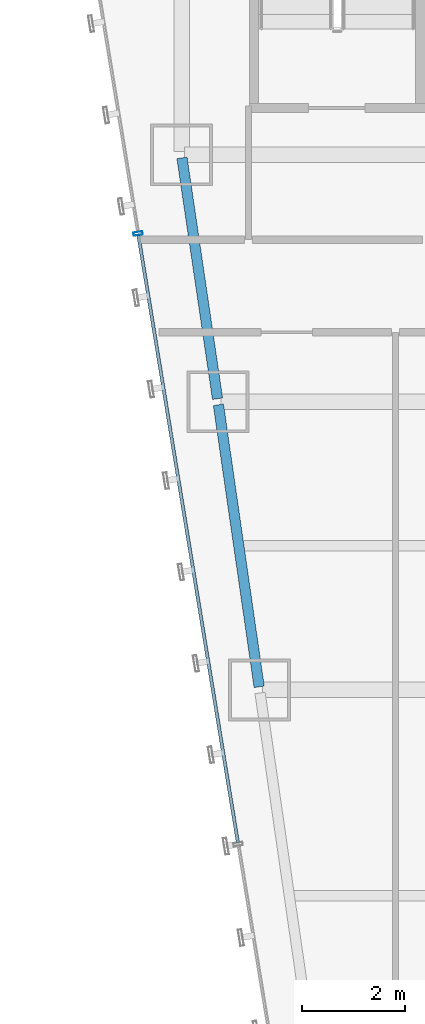
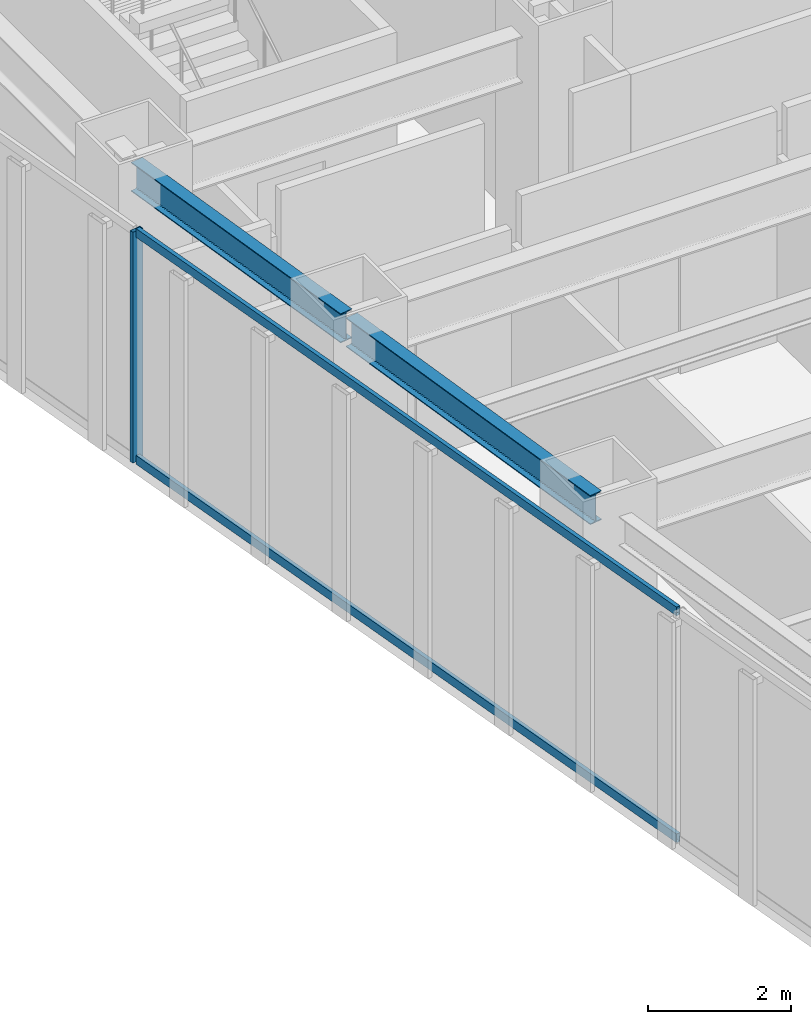
# One storey, part 22 of 47: 3 members, 2 beams, 1 element without a shape of its own.
"""IFC4 building model written with IfcOpenShell, lengths in metres."""

from ifc_helpers import new_model, si_unit, direction, frame, origin, origin_2d, place, context, subcontext, project, spatial, hollow_rectangle, i_section, extrude, material, material_profile, profile_set, type_object, element, aggregate, save


model = new_model("IFC4")

# Units and contexts
model_context = context("Model", 3, precision=1e-05, world=origin(), true_north=direction((0.0, 1.0)))
body_context = subcontext(model_context, "Body", "Model", "MODEL_VIEW")
ifc_project = project(units=[si_unit("LENGTHUNIT", "METRE"), si_unit("AREAUNIT", "SQUARE_METRE"), si_unit("VOLUMEUNIT", "CUBIC_METRE"), si_unit("PLANEANGLEUNIT", "RADIAN"), si_unit("MASSUNIT", "GRAM", prefix="KILO")], contexts=[model_context])

# Site, building, storey
site_placement = place(None, origin())
site = spatial("IfcSite", under=ifc_project, at=site_placement, CompositionType="ELEMENT")
building_placement = place(site_placement, origin())
building = spatial("IfcBuilding", under=site, at=building_placement, Name="Saevonmaru Cultural Tower", CompositionType="ELEMENT")
storey_placement = place(building_placement, frame((0.0, 0.0, 82.39990234375)))
storey = spatial("IfcBuildingStorey", under=building, at=storey_placement, Name="L17", CompositionType="ELEMENT", Elevation=82.39990234375)

# Beams
ifc_material_1 = material(Name="Steel SM355", Category="steel")
ifc_material_profile_1 = material_profile(ifc_material_1, i_section(OverallWidth=0.199951171875, OverallDepth=0.5, WebThickness=0.010009765625, FlangeThickness=0.01611328125, FilletRadius=0.02001953125, at=origin_2d()), Name="H-500x200x10x16")
ifc_profile_set_1 = profile_set([ifc_material_profile_1], Name="Steel SM355")
beam_type = type_object("IfcBeamType", Name="BM-SP-H500", PredefinedType="SPANDREL", material=ifc_profile_set_1)
beam_1_placement = place(storey_placement, frame((8.308349609375, 32.059326171875, 3.7001953125), z_axis=(-0.142964121327, 0.989727871697, 0.0), x_axis=(-0.989727871697, -0.142964121327, 0.0)))
element("IfcBeam", 1, at=beam_1_placement, inside=storey, type_object=beam_type, Name="L17 West Splayed Spandrel 5", PredefinedType="SPANDREL", context=body_context, shape_type="SweptSolid", body=[
    extrude(i_section(OverallWidth=0.199951171875, OverallDepth=0.5, WebThickness=0.010009765625, FlangeThickness=0.01611328125, FilletRadius=0.02001953125, at=origin_2d()), origin(), (0.0, 0.0, 1.0), 5.5380859375),
])
beam_2_placement = place(storey_placement, frame((7.499267578125, 37.659423828125, 3.7001953125), z_axis=(-0.145912860028, 0.989297446312, 0.0), x_axis=(-0.989297446312, -0.145912860028, 0.0)))
element("IfcBeam", 2, at=beam_2_placement, inside=storey, type_object=beam_type, Name="L17 West Splayed Spandrel 6", PredefinedType="SPANDREL", context=body_context, shape_type="SweptSolid", body=[
    extrude(i_section(OverallWidth=0.199951171875, OverallDepth=0.5, WebThickness=0.010009765625, FlangeThickness=0.01611328125, FilletRadius=0.02001953125, at=origin_2d()), origin(), (0.0, 0.0, 1.0), 4.731689453125),
])

# Curtain wall, members
ifc_material_2 = material(Name="Satin Bronze Anodised Aluminium", Category="aluminium")
curtain_wall_type = type_object("IfcCurtainWallType", Name="CW-TYP-A", PredefinedType="NOTDEFINED", material=ifc_material_2)
curtain_wall_placement = place(storey_placement, origin())
curtain_wall = element("IfcCurtainWall", 3, at=curtain_wall_placement, inside=storey, type_object=curtain_wall_type, Name="L17 Unitised Curtain Wall E12", PredefinedType="NOTDEFINED")
ifc_material_profile_2 = material_profile(ifc_material_2, hollow_rectangle(XDim=0.06494140625, YDim=0.179931640625, WallThickness=0.00390625, at=origin_2d()), Name="ALU-MULL-180x65x4")
ifc_profile_set_2 = profile_set([ifc_material_profile_2], Name="Satin Bronze Anodised Aluminium")
member_type_1 = type_object("IfcMemberType", Name="ML-CW-180x65", PredefinedType="MULLION", material=ifc_profile_set_2)
member_1_placement = place(storey_placement, frame((5.954833984375, 40.870361328125, 0.0), z_axis=(0.0, 0.0, 1.0), x_axis=(0.161708868641, -0.986838508472, 0.0)))
member_1 = element("IfcMember", 4, at=member_1_placement, type_object=member_type_1, Name="CW-TW-L17-E12 mullion 2", PredefinedType="MULLION", context=body_context, shape_type="SweptSolid", body=[
    extrude(hollow_rectangle(XDim=0.06494140625, YDim=0.179931640625, WallThickness=0.00390625, at=origin_2d()), origin(), (0.0, 0.0, 1.0), 3.9501953125),
])
ifc_material_profile_3 = material_profile(ifc_material_2, hollow_rectangle(XDim=0.06494140625, YDim=0.14990234375, WallThickness=0.00390625, at=origin_2d()), Name="ALU-TRAN-150x65x4")
ifc_profile_set_3 = profile_set([ifc_material_profile_3], Name="Satin Bronze Anodised Aluminium")
member_type_2 = type_object("IfcMemberType", Name="TR-CW-150x65", PredefinedType="USERDEFINED", material=ifc_profile_set_3)
member_2_placement = place(storey_placement, frame((5.960205078125, 40.83837890625, 0.03271484375), z_axis=(0.161701400727, -0.986839732177, 0.0), x_axis=(0.986839732177, 0.161701400727, 0.0)))
member_2 = element("IfcMember", 5, at=member_2_placement, type_object=member_type_2, Name="CW-TW-L17-E12 transom 2.1", ObjectType="TRANSOM", PredefinedType="USERDEFINED", context=body_context, shape_type="SweptSolid", body=[
    extrude(hollow_rectangle(XDim=0.06494140625, YDim=0.14990234375, WallThickness=0.00390625, at=origin_2d()), origin(), (0.0, 0.0, 1.0), 11.9638671875),
])
member_3_placement = place(storey_placement, frame((5.960205078125, 40.83837890625, 3.91748046875), z_axis=(0.161701400727, -0.986839732177, 0.0), x_axis=(0.986839732177, 0.161701400727, 0.0)))
member_3 = element("IfcMember", 6, at=member_3_placement, type_object=member_type_2, Name="CW-TW-L17-E12 transom 2.2", ObjectType="TRANSOM", PredefinedType="USERDEFINED", context=body_context, shape_type="SweptSolid", body=[
    extrude(hollow_rectangle(XDim=0.06494140625, YDim=0.14990234375, WallThickness=0.00390625, at=origin_2d()), origin(), (0.0, 0.0, 1.0), 11.9638671875),
])
aggregate(curtain_wall, [member_1, member_2, member_3])

save(model, "model.ifc")
